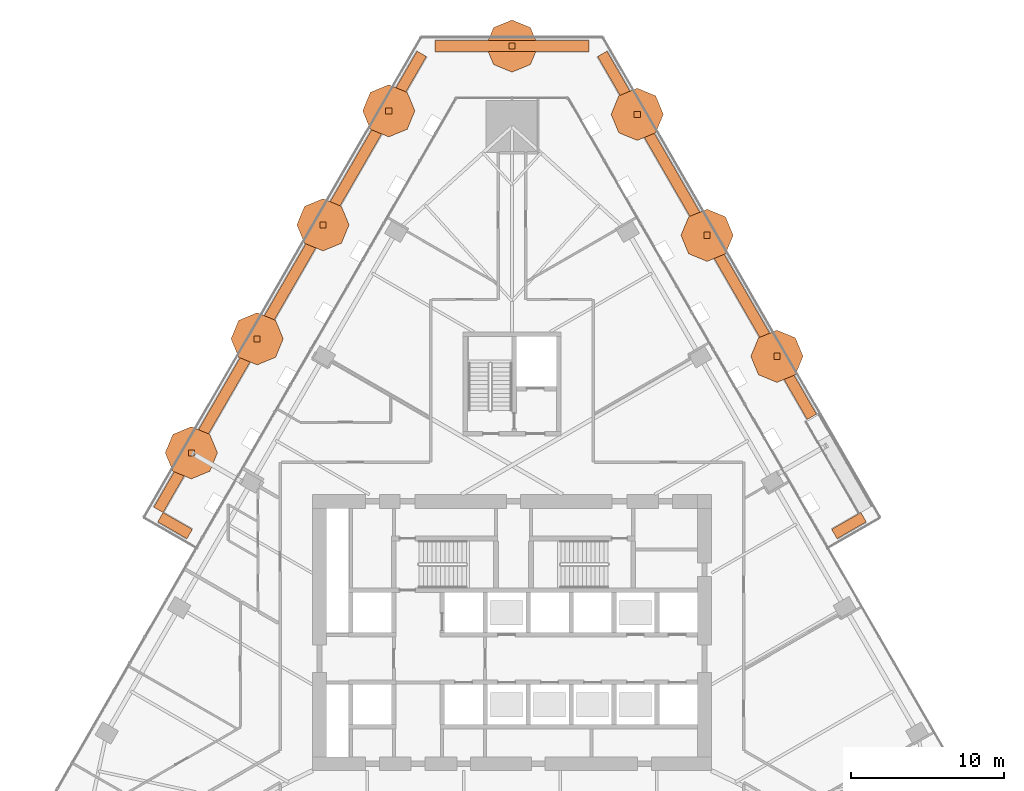
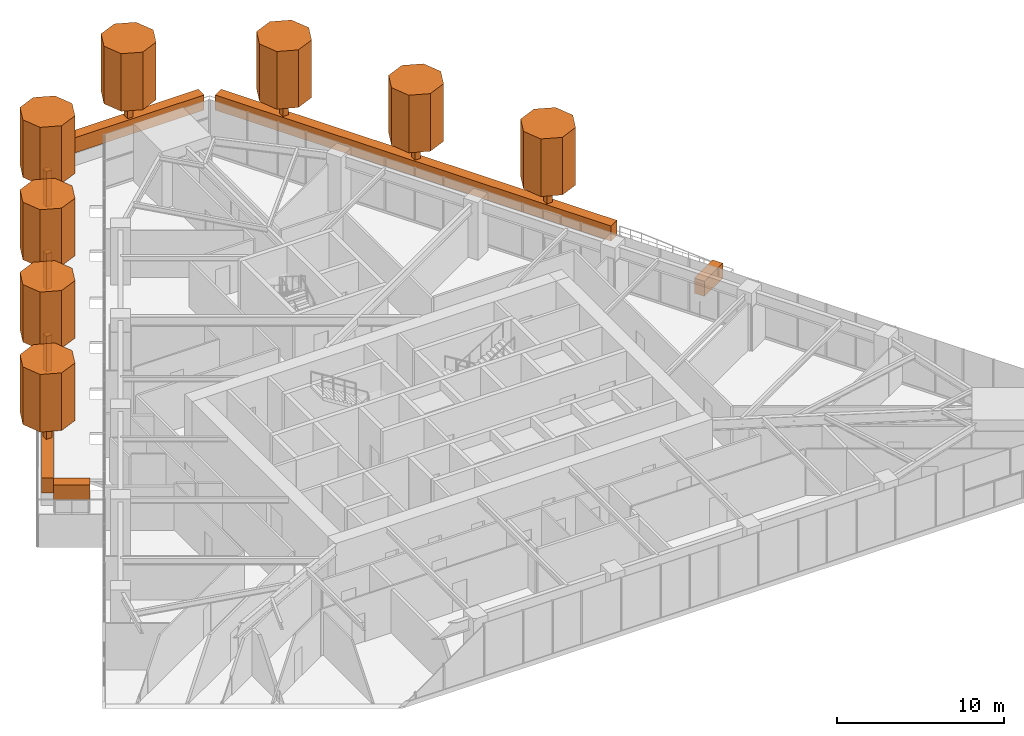
# One storey, part 25 of 25: 21 geographic elements.
"""IFC4 building model written with IfcOpenShell, lengths in metres."""

from ifc_helpers import new_model, si_unit, direction, frame, origin, origin_2d, place, context, subcontext, project, spatial, polyline, rectangle, outline, extrude, material, type_object, element, save


model = new_model("IFC4")

# Units and contexts
model_context = context("Model", 3, precision=1e-05, world=origin(), true_north=direction((0.0, 1.0)))
body_context = subcontext(model_context, "Body", "Model", "MODEL_VIEW")
ifc_project = project(units=[si_unit("LENGTHUNIT", "METRE"), si_unit("AREAUNIT", "SQUARE_METRE"), si_unit("VOLUMEUNIT", "CUBIC_METRE"), si_unit("PLANEANGLEUNIT", "RADIAN"), si_unit("MASSUNIT", "GRAM", prefix="KILO")], contexts=[model_context])

# Site, building, storey
site_placement = place(None, origin())
site = spatial("IfcSite", under=ifc_project, at=site_placement, CompositionType="ELEMENT")
building_placement = place(site_placement, origin())
building = spatial("IfcBuilding", under=site, at=building_placement, Name="Firuza Gate Tower and Library", CompositionType="ELEMENT")
storey_placement = place(building_placement, frame((0.0, 0.0, 86.199951171875)))
storey = spatial("IfcBuildingStorey", under=building, at=storey_placement, Name="L19", CompositionType="ELEMENT", Elevation=86.199951171875)

# Geographic elements
ifc_material_1 = material(Name="Foliage")
geographic_element_type_1 = type_object("IfcGeographicElementType", Name="Planted hedge", PredefinedType="USERDEFINED", material=ifc_material_1)
geographic_element_1_placement = place(storey_placement, frame((96.957763671875, 81.969482421875, 0.89990234375), z_axis=(0.0, 0.0, 1.0), x_axis=(0.866025403784, 0.5, 0.0)))
element("IfcGeographicElement", 1, at=geographic_element_1_placement, inside=storey, type_object=geographic_element_type_1, Name="Planted hedge", ObjectType="HEDGE", PredefinedType="USERDEFINED", context=body_context, shape_type="SweptSolid", body=[
    extrude(rectangle(XDim=2.199951171875, YDim=0.699951171875, at=origin_2d()), origin(), (0.0, 0.0, 1.0), 1.10009765625),
])
geographic_element_2_placement = place(storey_placement, frame((87.7109375, 100.8857421875, 0.89990234375), z_axis=(0.0, 0.0, 1.0), x_axis=(-0.5, 0.866025403784, 0.0)))
element("IfcGeographicElement", 2, at=geographic_element_2_placement, inside=storey, type_object=geographic_element_type_1, Name="Planted hedge", ObjectType="HEDGE", PredefinedType="USERDEFINED", context=body_context, shape_type="SweptSolid", body=[
    extrude(rectangle(XDim=27.31103515625, YDim=0.699951171875, at=origin_2d()), origin(), (0.0, 0.0, 1.0), 1.10009765625),
])
geographic_element_3_placement = place(storey_placement, frame((75.0, 113.21630859375, 0.89990234375), z_axis=(0.0, 0.0, 1.0), x_axis=(-1.0, 0.0, 0.0)))
element("IfcGeographicElement", 3, at=geographic_element_3_placement, inside=storey, type_object=geographic_element_type_1, Name="Planted hedge", ObjectType="HEDGE", PredefinedType="USERDEFINED", context=body_context, shape_type="SweptSolid", body=[
    extrude(rectangle(XDim=10.018798828125, YDim=0.699951171875, at=origin_2d()), origin(), (0.0, 0.0, 1.0), 1.10009765625),
])
geographic_element_4_placement = place(storey_placement, frame((60.5390625, 97.854736328125, 0.89990234375), z_axis=(0.0, 0.0, 1.0), x_axis=(-0.5, -0.866025403784, 0.0)))
element("IfcGeographicElement", 4, at=geographic_element_4_placement, inside=storey, type_object=geographic_element_type_1, Name="Planted hedge", ObjectType="HEDGE", PredefinedType="USERDEFINED", context=body_context, shape_type="SweptSolid", body=[
    extrude(rectangle(XDim=34.31103515625, YDim=0.699951171875, at=origin_2d()), origin(), (0.0, 0.0, 1.0), 1.10009765625),
])
geographic_element_5_placement = place(storey_placement, frame((53.042236328125, 81.969482421875, 0.89990234375), z_axis=(0.0, 0.0, 1.0), x_axis=(0.866025403784, -0.5, 0.0)))
element("IfcGeographicElement", 5, at=geographic_element_5_placement, inside=storey, type_object=geographic_element_type_1, Name="Planted hedge", ObjectType="HEDGE", PredefinedType="USERDEFINED", context=body_context, shape_type="SweptSolid", body=[
    extrude(rectangle(XDim=2.199951171875, YDim=0.699951171875, at=origin_2d()), origin(), (0.0, 0.0, 1.0), 1.10009765625),
])
ifc_material_2 = material(Name="Foliage")
geographic_element_type_2 = type_object("IfcGeographicElementType", Name="Planted tree canopy", PredefinedType="USERDEFINED", material=ifc_material_2)
placement = place(storey_placement, frame((0.0, 0.0, 3.5)))
element("IfcGeographicElement", 6, at=placement, inside=storey, type_object=geographic_element_type_2, Name="Tree canopy", ObjectType="TREE CANOPY", PredefinedType="USERDEFINED", context=body_context, shape_type="SweptSolid", body=[
    extrude(outline(polyline([(93.962646484375, 93.001708984375), (93.46484375, 94.203857421875), (92.2626953125, 94.70166015625), (91.060546875, 94.203857421875), (90.562744140625, 93.001708984375), (91.060546875, 91.7998046875), (92.2626953125, 91.3017578125), (93.46484375, 91.7998046875), (93.962646484375, 93.001708984375)])), origin(), (0.0, 0.0, 1.0), 4.199951171875),
])
element("IfcGeographicElement", 7, at=placement, inside=storey, type_object=geographic_element_type_2, Name="Tree canopy", ObjectType="TREE CANOPY", PredefinedType="USERDEFINED", context=body_context, shape_type="SweptSolid", body=[
    extrude(outline(polyline([(89.410888671875, 100.8857421875), (88.912841796875, 102.087890625), (87.7109375, 102.585693359375), (86.5087890625, 102.087890625), (86.0107421875, 100.8857421875), (86.5087890625, 99.68359375), (87.7109375, 99.185791015625), (88.912841796875, 99.68359375), (89.410888671875, 100.8857421875)])), origin(), (0.0, 0.0, 1.0), 4.199951171875),
])
element("IfcGeographicElement", 8, at=placement, inside=storey, type_object=geographic_element_type_2, Name="Tree canopy", ObjectType="TREE CANOPY", PredefinedType="USERDEFINED", context=body_context, shape_type="SweptSolid", body=[
    extrude(outline(polyline([(84.85888671875, 108.769775390625), (84.361083984375, 109.971923828125), (83.158935546875, 110.4697265625), (81.95703125, 109.971923828125), (81.458984375, 108.769775390625), (81.95703125, 107.567626953125), (83.158935546875, 107.06982421875), (84.361083984375, 107.567626953125), (84.85888671875, 108.769775390625)])), origin(), (0.0, 0.0, 1.0), 4.199951171875),
])
element("IfcGeographicElement", 9, at=placement, inside=storey, type_object=geographic_element_type_2, Name="Tree canopy", ObjectType="TREE CANOPY", PredefinedType="USERDEFINED", context=body_context, shape_type="SweptSolid", body=[
    extrude(outline(polyline([(76.699951171875, 113.21630859375), (76.2021484375, 114.418212890625), (75.0, 114.916259765625), (73.7978515625, 114.418212890625), (73.300048828125, 113.21630859375), (73.7978515625, 112.01416015625), (75.0, 111.51611328125), (76.2021484375, 112.01416015625), (76.699951171875, 113.21630859375)])), origin(), (0.0, 0.0, 1.0), 4.199951171875),
])
element("IfcGeographicElement", 10, at=placement, inside=storey, type_object=geographic_element_type_2, Name="Tree canopy", ObjectType="TREE CANOPY", PredefinedType="USERDEFINED", context=body_context, shape_type="SweptSolid", body=[
    extrude(outline(polyline([(68.67236328125, 108.99755859375), (68.174560546875, 110.19970703125), (66.972412109375, 110.697509765625), (65.7705078125, 110.19970703125), (65.2724609375, 108.99755859375), (65.7705078125, 107.79541015625), (66.972412109375, 107.297607421875), (68.174560546875, 107.79541015625), (68.67236328125, 108.99755859375)])), origin(), (0.0, 0.0, 1.0), 4.199951171875),
])
element("IfcGeographicElement", 11, at=placement, inside=storey, type_object=geographic_element_type_2, Name="Tree canopy", ObjectType="TREE CANOPY", PredefinedType="USERDEFINED", context=body_context, shape_type="SweptSolid", body=[
    extrude(outline(polyline([(64.383544921875, 101.569091796875), (63.8857421875, 102.77099609375), (62.68359375, 103.26904296875), (61.4814453125, 102.77099609375), (60.983642578125, 101.569091796875), (61.4814453125, 100.366943359375), (62.68359375, 99.868896484375), (63.8857421875, 100.366943359375), (64.383544921875, 101.569091796875)])), origin(), (0.0, 0.0, 1.0), 4.199951171875),
])
element("IfcGeographicElement", 12, at=placement, inside=storey, type_object=geographic_element_type_2, Name="Tree canopy", ObjectType="TREE CANOPY", PredefinedType="USERDEFINED", context=body_context, shape_type="SweptSolid", body=[
    extrude(outline(polyline([(60.0947265625, 94.140380859375), (59.596923828125, 95.342529296875), (58.394775390625, 95.84033203125), (57.192626953125, 95.342529296875), (56.69482421875, 94.140380859375), (57.192626953125, 92.938232421875), (58.394775390625, 92.4404296875), (59.596923828125, 92.938232421875), (60.0947265625, 94.140380859375)])), origin(), (0.0, 0.0, 1.0), 4.199951171875),
])
element("IfcGeographicElement", 13, at=placement, inside=storey, type_object=geographic_element_type_2, Name="Tree canopy", ObjectType="TREE CANOPY", PredefinedType="USERDEFINED", context=body_context, shape_type="SweptSolid", body=[
    extrude(outline(polyline([(55.805908203125, 86.7119140625), (55.307861328125, 87.9140625), (54.10595703125, 88.411865234375), (52.90380859375, 87.9140625), (52.40576171875, 86.7119140625), (52.90380859375, 85.509765625), (54.10595703125, 85.011962890625), (55.307861328125, 85.509765625), (55.805908203125, 86.7119140625)])), origin(), (0.0, 0.0, 1.0), 4.199951171875),
])
ifc_material_3 = material(Name="Timber", Category="wood")
geographic_element_type_3 = type_object("IfcGeographicElementType", Name="Planted tree trunk", PredefinedType="USERDEFINED", material=ifc_material_3)
for number, where, z_axis, x_axis, name in (
    (14, (92.2626953125, 93.001708984375, 0.89990234375), (0.0, 0.0, 1.0), (1.0, 0.0, 0.0), "Tree trunk"),
    (15, (87.7109375, 100.8857421875, 0.89990234375), (0.0, 0.0, 1.0), (1.0, 0.0, 0.0), "Tree trunk"),
    (16, (83.158935546875, 108.769775390625, 0.89990234375), (0.0, 0.0, 1.0), (1.0, 0.0, 0.0), "Tree trunk"),
    (17, (75.0, 113.21630859375, 0.89990234375), (0.0, 0.0, 1.0), (1.0, 0.0, 0.0), "Tree trunk"),
    (18, (66.972412109375, 108.99755859375, 0.89990234375), (0.0, 0.0, 1.0), (1.0, 0.0, 0.0), "Tree trunk"),
    (19, (62.68359375, 101.569091796875, 0.89990234375), (0.0, 0.0, 1.0), (1.0, 0.0, 0.0), "Tree trunk"),
    (20, (58.394775390625, 94.140380859375, 0.89990234375), (0.0, 0.0, 1.0), (1.0, 0.0, 0.0), "Tree trunk"),
    (21, (54.10595703125, 86.7119140625, 0.89990234375), (0.0, 0.0, 1.0), (1.0, 0.0, 0.0), "Tree trunk"),
):
    element("IfcGeographicElement", number, at=place(storey_placement, frame(where, z_axis=z_axis, x_axis=x_axis)), inside=storey, type_object=geographic_element_type_3, Name=name, ObjectType="TREE TRUNK", PredefinedType="USERDEFINED", context=body_context, shape_type="SweptSolid", body=[
        extrude(rectangle(XDim=0.39990234375, YDim=0.39990234375, at=origin_2d()), origin(), (0.0, 0.0, 1.0), 2.60009765625),
    ])

save(model, "model.ifc")
